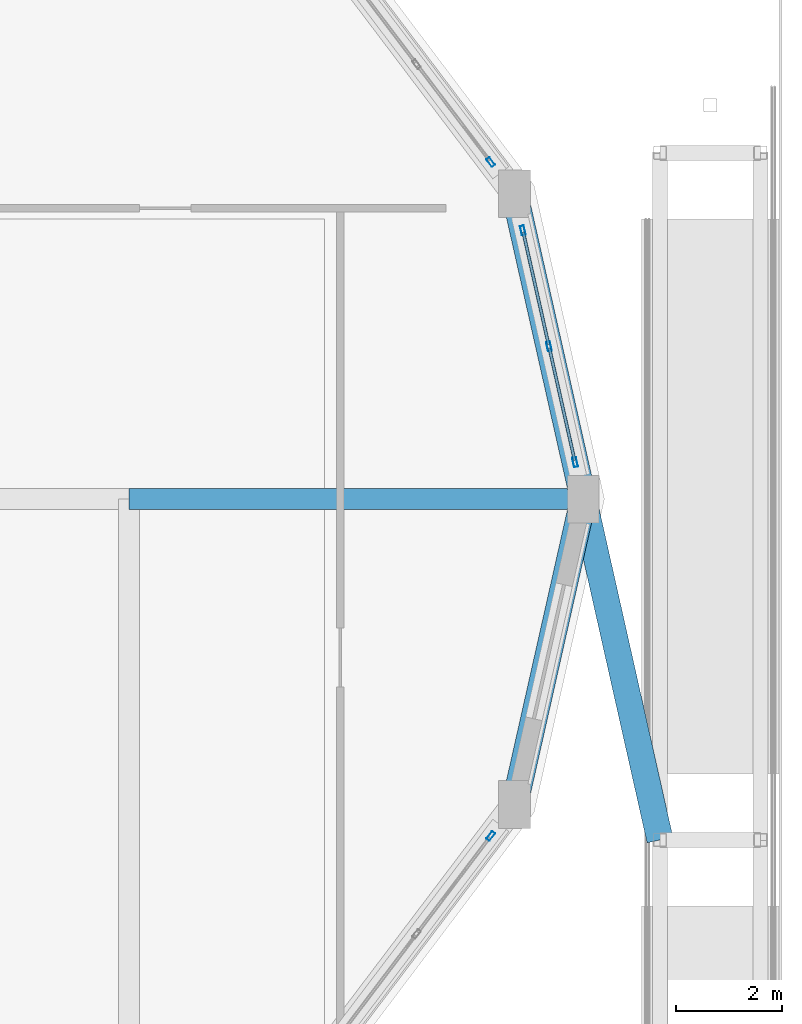
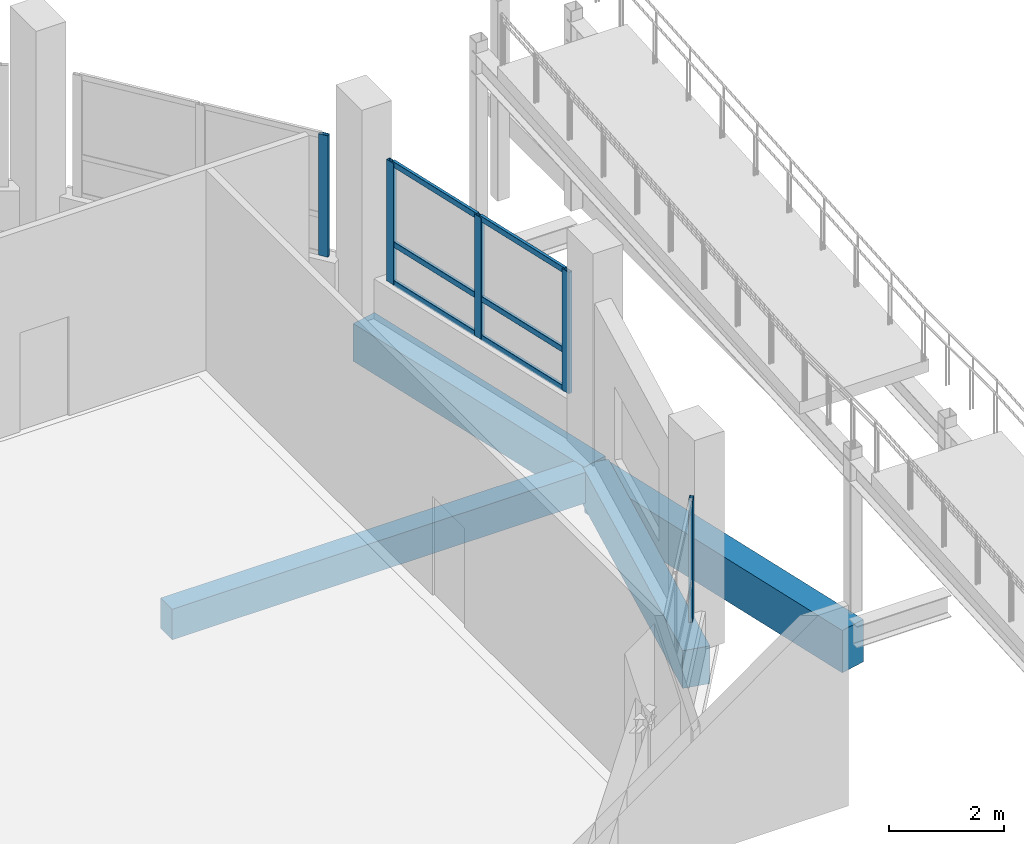
# One storey, part 93 of 129: 11 members, 4 beams, 3 elements without a shape of their own.
"""IFC4 building model written with IfcOpenShell, lengths in metres."""

from ifc_helpers import new_model, si_unit, direction, frame, origin, origin_2d, place, context, subcontext, project, spatial, rectangle, hollow_rectangle, extrude, material, layer, layer_set, material_profile, profile_set, type_object, element, aggregate, save


model = new_model("IFC4")

# Units and contexts
model_context = context("Model", 3, precision=1e-05, world=origin(), true_north=direction((0.0, 1.0)))
body_context = subcontext(model_context, "Body", "Model", "MODEL_VIEW")
ifc_project = project(units=[si_unit("LENGTHUNIT", "METRE"), si_unit("AREAUNIT", "SQUARE_METRE"), si_unit("VOLUMEUNIT", "CUBIC_METRE"), si_unit("PLANEANGLEUNIT", "RADIAN"), si_unit("MASSUNIT", "GRAM", prefix="KILO")], contexts=[model_context])

# Site, building, storey
site_placement = place(None, origin())
site = spatial("IfcSite", under=ifc_project, at=site_placement, CompositionType="ELEMENT")
building_placement = place(site_placement, origin())
building = spatial("IfcBuilding", under=site, at=building_placement, Name="Vespera Passage Community Centre", CompositionType="ELEMENT")
storey_placement = place(building_placement, origin())
storey = spatial("IfcBuildingStorey", under=building, at=storey_placement, Name="L00", CompositionType="ELEMENT", Elevation=0.0)

# Beams
ifc_material_1 = material(Name="Concrete f'c 35 MPa", Category="concrete")
ifc_material_profile_1 = material_profile(ifc_material_1, rectangle(XDim=0.39990234375, YDim=0.64990234375, at=origin_2d()), Name="RC400X650")
ifc_profile_set_1 = profile_set([ifc_material_profile_1], Name="Concrete f'c 35 MPa")
beam_type_1 = type_object("IfcBeamType", Name="BM-G-400X650", PredefinedType="BEAM", material=ifc_profile_set_1)
beam_1_placement = place(storey_placement, frame((151.5, 89.5, -0.60498046875), z_axis=(1.0, 0.0, 0.0), x_axis=(0.0, 1.0, 0.0)))
element("IfcBeam", 1, at=beam_1_placement, inside=storey, type_object=beam_type_1, Name="V2 L00 Court Girder 2.3", PredefinedType="BEAM", context=body_context, shape_type="SweptSolid", body=[
    extrude(rectangle(XDim=0.39990234375, YDim=0.64990234375, at=origin_2d()), origin(), (0.0, 0.0, 1.0), 8.60009765625),
])
ifc_material_2 = material(Name="Concrete f'c 45 MPa", Category="concrete")
ifc_material_profile_2 = material_profile(ifc_material_2, rectangle(XDim=0.5, YDim=0.89990234375, at=origin_2d()), Name="RC500X900")
ifc_profile_set_2 = profile_set([ifc_material_profile_2], Name="Concrete f'c 45 MPa")
beam_type_2 = type_object("IfcBeamType", Name="BM-G-500X900", PredefinedType="BEAM", material=ifc_profile_set_2)
beam_2_placement = place(storey_placement, frame((160.10009765625, 89.5, -0.7900390625), z_axis=(0.219326772661, -0.97565145764, 0.0), x_axis=(0.97565145764, 0.219326772661, 0.0)))
element("IfcBeam", 2, at=beam_2_placement, inside=storey, type_object=beam_type_2, Name="Subgrade Structural Tie Girder 13", PredefinedType="BEAM", context=body_context, shape_type="SweptSolid", body=[
    extrude(rectangle(XDim=0.5, YDim=0.89990234375, at=origin_2d()), origin(), (0.0, 0.0, 1.0), 6.61083984375),
])
ifc_material_3 = material(Name="Concrete f'c 35 MPa", Category="concrete")
ifc_material_profile_3 = material_profile(ifc_material_3, rectangle(XDim=0.5, YDim=0.800048828125, at=origin_2d()), Name="RC500X800")
ifc_profile_set_3 = profile_set([ifc_material_profile_3], Name="Concrete f'c 35 MPa")
beam_type_3 = type_object("IfcBeamType", Name="BM-SP-500X800E", PredefinedType="SPANDREL", material=ifc_profile_set_3)
for number, where, z_axis, x_axis, name in (
    (3, (160.10009765625, 89.5, -0.679931640625), (-0.219766204697, 0.9755525692, 0.0), (-0.9755525692, -0.219766204697, 0.0), "V2 L00 Perimeter Spandrel 1"),
    (4, (158.79833984375, 83.721435546875, -0.679931640625), (0.219766204697, 0.9755525692, 0.0), (-0.9755525692, 0.219766204697, 0.0), "V2 L00 Perimeter Spandrel 16"),
):
    element("IfcBeam", number, at=place(storey_placement, frame(where, z_axis=z_axis, x_axis=x_axis)), inside=storey, type_object=beam_type_3, Name=name, PredefinedType="SPANDREL", context=body_context, shape_type="SweptSolid", body=[
        extrude(rectangle(XDim=0.5, YDim=0.800048828125, at=origin_2d()), origin(), (0.0, 0.0, 1.0), 5.92333984375),
    ])

# Curtain wall, members
ifc_material_4 = material(Name="Anodized aluminium 6063-T6", Category="aluminium")
ifc_layer_1 = layer(ifc_material_4, 0.159912109375)
ifc_layer_set_1 = layer_set([ifc_layer_1], Name="Anodized aluminium 6063-T6")
curtain_wall_type_1 = type_object("IfcCurtainWallType", Name="CW-89E", PredefinedType="NOTDEFINED", material=ifc_layer_set_1)
curtain_wall_1_placement = place(storey_placement, origin())
curtain_wall_1 = element("IfcCurtainWall", 5, at=curtain_wall_1_placement, inside=storey, type_object=curtain_wall_type_1, Name="Sports Drum Ribbon Curtain Wall L00.1", PredefinedType="NOTDEFINED")
ifc_material_5 = material(Name="Anodized aluminium 6063-T6", Category="aluminium")
ifc_material_profile_4 = material_profile(ifc_material_5, hollow_rectangle(XDim=0.074951171875, YDim=0.179931640625, WallThickness=0.0048828125, InnerFilletRadius=0.00244140625, OuterFilletRadius=0.0048828125, at=origin_2d()), Name="ALU180X75X5")
ifc_profile_set_4 = profile_set([ifc_material_profile_4], Name="Anodized aluminium 6063-T6")
member_type_1 = type_object("IfcMemberType", Name="MB-CWM-180E", PredefinedType="MULLION", material=ifc_profile_set_4)
member_1_placement = place(storey_placement, frame((158.955078125, 94.582275390625, 0.85009765625), z_axis=(0.0, 0.0, 1.0), x_axis=(0.975553383073, 0.219762591846, 0.0)))
member_1 = element("IfcMember", 6, at=member_1_placement, type_object=member_type_1, Name="CW-89E mullion 1", PredefinedType="MULLION", context=body_context, shape_type="SweptSolid", body=[
    extrude(hollow_rectangle(XDim=0.074951171875, YDim=0.179931640625, WallThickness=0.0048828125, InnerFilletRadius=0.00244140625, OuterFilletRadius=0.0048828125, at=origin_2d()), origin(), (0.0, 0.0, 1.0), 2.574951171875),
])
member_2_placement = place(storey_placement, frame((159.44921875, 92.38916015625, 0.85009765625), z_axis=(0.0, 0.0, 1.0), x_axis=(0.975553383073, 0.219762591846, 0.0)))
member_2 = element("IfcMember", 7, at=member_2_placement, type_object=member_type_1, Name="CW-89E mullion 2", PredefinedType="MULLION", context=body_context, shape_type="SweptSolid", body=[
    extrude(hollow_rectangle(XDim=0.074951171875, YDim=0.179931640625, WallThickness=0.0048828125, InnerFilletRadius=0.00244140625, OuterFilletRadius=0.0048828125, at=origin_2d()), origin(), (0.0, 0.0, 1.0), 2.574951171875),
])
member_3_placement = place(storey_placement, frame((159.943115234375, 90.1962890625, 0.85009765625), z_axis=(0.0, 0.0, 1.0), x_axis=(0.975553383073, 0.219762591846, 0.0)))
member_3 = element("IfcMember", 8, at=member_3_placement, type_object=member_type_1, Name="CW-89E mullion 3", PredefinedType="MULLION", context=body_context, shape_type="SweptSolid", body=[
    extrude(hollow_rectangle(XDim=0.074951171875, YDim=0.179931640625, WallThickness=0.0048828125, InnerFilletRadius=0.00244140625, OuterFilletRadius=0.0048828125, at=origin_2d()), origin(), (0.0, 0.0, 1.0), 2.574951171875),
])

# Curtain wall, member
ifc_material_6 = material(Name="Anodized aluminium 6063-T6", Category="aluminium")
ifc_layer_2 = layer(ifc_material_6, 0.159912109375)
ifc_layer_set_2 = layer_set([ifc_layer_2], Name="Anodized aluminium 6063-T6")
curtain_wall_type_2 = type_object("IfcCurtainWallType", Name="CW-90E", PredefinedType="NOTDEFINED", material=ifc_layer_set_2)
curtain_wall_2_placement = place(storey_placement, origin())
curtain_wall_2 = element("IfcCurtainWall", 9, at=curtain_wall_2_placement, inside=storey, type_object=curtain_wall_type_2, Name="Sports Drum Ribbon Curtain Wall L00.2", PredefinedType="NOTDEFINED")
member_4_placement = place(storey_placement, frame((158.345947265625, 95.876220703125, 0.85009765625), z_axis=(0.0, 0.0, 1.0), x_axis=(0.797434495654, 0.603405522961, 0.0)))
member_4 = element("IfcMember", 10, at=member_4_placement, type_object=member_type_1, Name="CW-90E mullion 3", PredefinedType="MULLION", context=body_context, shape_type="SweptSolid", body=[
    extrude(hollow_rectangle(XDim=0.074951171875, YDim=0.179931640625, WallThickness=0.0048828125, InnerFilletRadius=0.00244140625, OuterFilletRadius=0.0048828125, at=origin_2d()), origin(), (0.0, 0.0, 1.0), 2.574951171875),
])
aggregate(curtain_wall_2, [member_4])

curtain_wall_3_placement = place(storey_placement, origin())
curtain_wall_3 = element("IfcCurtainWall", 11, at=curtain_wall_3_placement, inside=storey, type_object=curtain_wall_type_2, Name="Sports Drum Ribbon Curtain Wall L00.15", PredefinedType="NOTDEFINED")
member_5_placement = place(storey_placement, frame((158.345947265625, 83.123779296875, 0.85009765625), z_axis=(0.0, 0.0, 1.0), x_axis=(0.797434495654, -0.603405522961, 0.0)))
member_5 = element("IfcMember", 12, at=member_5_placement, type_object=member_type_1, Name="CW-90E mullion 1", PredefinedType="MULLION", context=body_context, shape_type="SweptSolid", body=[
    extrude(hollow_rectangle(XDim=0.074951171875, YDim=0.179931640625, WallThickness=0.0048828125, InnerFilletRadius=0.00244140625, OuterFilletRadius=0.0048828125, at=origin_2d()), origin(), (0.0, 0.0, 1.0), 2.574951171875),
])
aggregate(curtain_wall_3, [member_5])

# Member
ifc_material_7 = material(Name="Anodized aluminium 6063-T6", Category="aluminium")
ifc_material_profile_5 = material_profile(ifc_material_7, hollow_rectangle(XDim=0.06005859375, YDim=0.1201171875, WallThickness=0.00390625, InnerFilletRadius=0.001953125, OuterFilletRadius=0.00390625, at=origin_2d()), Name="ALU120X60X4")
ifc_profile_set_5 = profile_set([ifc_material_profile_5], Name="Anodized aluminium 6063-T6")
member_type_2 = type_object("IfcMemberType", Name="MB-CWT-120E", PredefinedType="USERDEFINED", material=ifc_profile_set_5)
member_6_placement = place(storey_placement, frame((158.96337890625, 94.545654296875, 0.8798828125), z_axis=(0.219760819775, -0.975553782265, 0.0), x_axis=(0.975553782265, 0.219760819775, 0.0)))
member_6 = element("IfcMember", 13, at=member_6_placement, type_object=member_type_2, Name="CW-89E transom 1.1", ObjectType="TRANSOM", PredefinedType="USERDEFINED", context=body_context, shape_type="SweptSolid", body=[
    extrude(hollow_rectangle(XDim=0.06005859375, YDim=0.1201171875, WallThickness=0.00390625, InnerFilletRadius=0.001953125, OuterFilletRadius=0.00390625, at=origin_2d()), origin(), (0.0, 0.0, 1.0), 2.173095703125),
])

member_7_placement = place(storey_placement, frame((158.96337890625, 94.545654296875, 1.699951171875), z_axis=(0.219760819775, -0.975553782265, 0.0), x_axis=(0.975553782265, 0.219760819775, 0.0)))
member_7 = element("IfcMember", 14, at=member_7_placement, type_object=member_type_2, Name="CW-89E transom 1.2", ObjectType="TRANSOM", PredefinedType="USERDEFINED", context=body_context, shape_type="SweptSolid", body=[
    extrude(hollow_rectangle(XDim=0.06005859375, YDim=0.1201171875, WallThickness=0.00390625, InnerFilletRadius=0.001953125, OuterFilletRadius=0.00390625, at=origin_2d()), origin(), (0.0, 0.0, 1.0), 2.173095703125),
])

member_8_placement = place(storey_placement, frame((158.96337890625, 94.545654296875, 3.39501953125), z_axis=(0.219760819775, -0.975553782265, 0.0), x_axis=(0.975553782265, 0.219760819775, 0.0)))
member_8 = element("IfcMember", 15, at=member_8_placement, type_object=member_type_2, Name="CW-89E transom 1.3", ObjectType="TRANSOM", PredefinedType="USERDEFINED", context=body_context, shape_type="SweptSolid", body=[
    extrude(hollow_rectangle(XDim=0.06005859375, YDim=0.1201171875, WallThickness=0.00390625, InnerFilletRadius=0.001953125, OuterFilletRadius=0.00390625, at=origin_2d()), origin(), (0.0, 0.0, 1.0), 2.173095703125),
])

member_9_placement = place(storey_placement, frame((159.457275390625, 92.352783203125, 0.8798828125), z_axis=(0.219760819775, -0.975553782265, 0.0), x_axis=(0.975553782265, 0.219760819775, 0.0)))
member_9 = element("IfcMember", 16, at=member_9_placement, type_object=member_type_2, Name="CW-89E transom 2.1", ObjectType="TRANSOM", PredefinedType="USERDEFINED", context=body_context, shape_type="SweptSolid", body=[
    extrude(hollow_rectangle(XDim=0.06005859375, YDim=0.1201171875, WallThickness=0.00390625, InnerFilletRadius=0.001953125, OuterFilletRadius=0.00390625, at=origin_2d()), origin(), (0.0, 0.0, 1.0), 2.173095703125),
])

member_10_placement = place(storey_placement, frame((159.457275390625, 92.352783203125, 1.699951171875), z_axis=(0.219760819775, -0.975553782265, 0.0), x_axis=(0.975553782265, 0.219760819775, 0.0)))
member_10 = element("IfcMember", 17, at=member_10_placement, type_object=member_type_2, Name="CW-89E transom 2.2", ObjectType="TRANSOM", PredefinedType="USERDEFINED", context=body_context, shape_type="SweptSolid", body=[
    extrude(hollow_rectangle(XDim=0.06005859375, YDim=0.1201171875, WallThickness=0.00390625, InnerFilletRadius=0.001953125, OuterFilletRadius=0.00390625, at=origin_2d()), origin(), (0.0, 0.0, 1.0), 2.173095703125),
])

member_11_placement = place(storey_placement, frame((159.457275390625, 92.352783203125, 3.39501953125), z_axis=(0.219760819775, -0.975553782265, 0.0), x_axis=(0.975553782265, 0.219760819775, 0.0)))
member_11 = element("IfcMember", 18, at=member_11_placement, type_object=member_type_2, Name="CW-89E transom 2.3", ObjectType="TRANSOM", PredefinedType="USERDEFINED", context=body_context, shape_type="SweptSolid", body=[
    extrude(hollow_rectangle(XDim=0.06005859375, YDim=0.1201171875, WallThickness=0.00390625, InnerFilletRadius=0.001953125, OuterFilletRadius=0.00390625, at=origin_2d()), origin(), (0.0, 0.0, 1.0), 2.173095703125),
])

aggregate(curtain_wall_1, [member_1, member_2, member_3, member_6, member_7, member_8, member_9, member_10, member_11])

save(model, "model.ifc")
